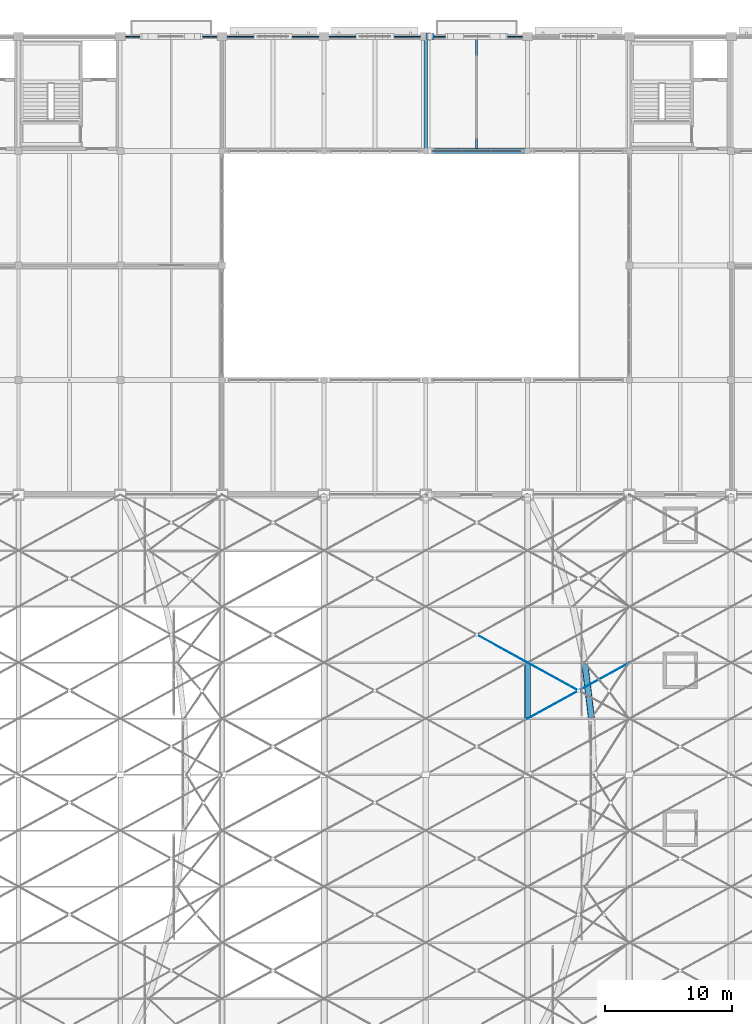
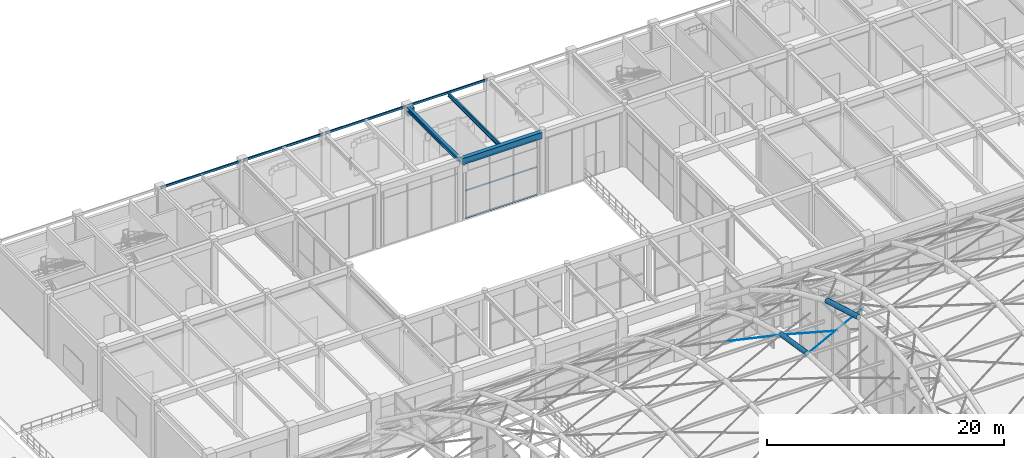
# One storey, part 75 of 163: 10 beams, 6 members, 1 element without a shape of its own.
"""IFC4 building model written with IfcOpenShell, lengths in metres."""

from ifc_helpers import new_model, si_unit, direction, frame, origin, origin_2d, place, context, subcontext, project, spatial, rectangle, hollow_rectangle, circle, hollow_circle, i_section, extrude, material, material_profile, profile_set, type_object, element, aggregate, save


model = new_model("IFC4")

# Units and contexts
model_context = context("Model", 3, precision=1e-05, world=origin(), true_north=direction((0.0, 1.0)))
body_context = subcontext(model_context, "Body", "Model", "MODEL_VIEW")
ifc_project = project(units=[si_unit("LENGTHUNIT", "METRE"), si_unit("AREAUNIT", "SQUARE_METRE"), si_unit("VOLUMEUNIT", "CUBIC_METRE"), si_unit("PLANEANGLEUNIT", "RADIAN"), si_unit("MASSUNIT", "GRAM", prefix="KILO")], contexts=[model_context])

# Site, building, storey
site_placement = place(None, origin())
site = spatial("IfcSite", under=ifc_project, at=site_placement, CompositionType="ELEMENT")
building_placement = place(site_placement, origin())
building = spatial("IfcBuilding", under=site, at=building_placement, Name="Varnabhumi Central Station", CompositionType="ELEMENT")
storey_placement = place(building_placement, frame((0.0, 0.0, 9.60009765625)))
storey = spatial("IfcBuildingStorey", under=building, at=storey_placement, Name="L02", CompositionType="ELEMENT", Elevation=9.60009765625)

# Beams
ifc_material_1 = material(Name="Structural steel E450", Category="steel")
ifc_material_profile_1 = material_profile(ifc_material_1, hollow_circle(Radius=0.228515625, WallThickness=0.01611328125, at=origin_2d()), Name="Structural steel E450", Category="steel")
ifc_profile_set_1 = profile_set([ifc_material_profile_1], Name="Structural steel E450")
beam_type_1 = type_object("IfcBeamType", Name="BM-ARCH-CHS457", PredefinedType="BEAM", material=ifc_profile_set_1)
beam_1_placement = place(storey_placement, frame((72.0, 62.39990234375, 10.520263671875), z_axis=(0.0, 0.987684638155, -0.156457839535), x_axis=(-1.0, 0.0, 0.0)))
element("IfcBeam", 1, at=beam_1_placement, inside=storey, type_object=beam_type_1, Name="Ticket Hall Vault Arch Rib 5 Seg 7", PredefinedType="BEAM", context=body_context, shape_type="SweptSolid", body=[
    extrude(hollow_circle(Radius=0.228515625, WallThickness=0.01611328125, at=origin_2d()), origin(), (0.0, 0.0, 1.0), 4.455078125),
])
ifc_material_2 = material(Name="Structural steel E350", Category="steel")
ifc_material_profile_2 = material_profile(ifc_material_2, hollow_circle(Radius=0.25390625, WallThickness=0.02001953125, at=origin_2d()), Name="Structural steel E350", Category="steel")
ifc_profile_set_2 = profile_set([ifc_material_profile_2], Name="Structural steel E350")
beam_type_2 = type_object("IfcBeamType", Name="BM-ARCH-CHS508", PredefinedType="BEAM", material=ifc_profile_set_2)
beam_2_placement = place(storey_placement, frame((77.0244140625, 62.39990234375, 12.486572265625), z_axis=(-0.118334185872, 0.976975278042, -0.177528382377), x_axis=(-0.992744345989, -0.120244182838, 0.0)))
element("IfcBeam", 2, at=beam_2_placement, inside=storey, type_object=beam_type_2, Name="Departure Concourse Vault Arch Rib 1 Seg 7", PredefinedType="BEAM", context=body_context, shape_type="SweptSolid", body=[
    extrude(hollow_circle(Radius=0.25390625, WallThickness=0.02001953125, at=origin_2d()), origin(), (0.0, 0.0, 1.0), 4.50390625),
])
ifc_material_profile_3 = material_profile(ifc_material_2, i_section(OverallWidth=0.14990234375, OverallDepth=0.449951171875, WebThickness=0.009521484375, FlangeThickness=0.017333984375, FilletRadius=0.014892578125, at=origin_2d()), Name="Structural steel E350", Category="steel")
ifc_profile_set_3 = profile_set([ifc_material_profile_3], Name="Structural steel E350")
beam_type_3 = type_object("IfcBeamType", Name="BM-JST-ISMB450", PredefinedType="JOIST", material=ifc_profile_set_3)
beam_3_placement = place(storey_placement, frame((68.0, 107.199951171875, 6.125), z_axis=(0.0, 1.0, 0.0), x_axis=(-1.0, 0.0, 0.0)))
element("IfcBeam", 3, at=beam_3_placement, inside=storey, type_object=beam_type_3, Name="Secondary Joist L02-9/10:N-P", PredefinedType="JOIST", context=body_context, shape_type="SweptSolid", body=[
    extrude(i_section(OverallWidth=0.14990234375, OverallDepth=0.449951171875, WebThickness=0.009521484375, FlangeThickness=0.017333984375, FilletRadius=0.014892578125, at=origin_2d()), origin(), (0.0, 0.0, 1.0), 8.739990234375),
])
ifc_material_3 = material(Name="Concrete M40", Category="concrete")
ifc_material_profile_4 = material_profile(ifc_material_3, rectangle(XDim=0.39990234375, YDim=0.64990234375, at=origin_2d()), Name="Concrete M40", Category="concrete")
ifc_profile_set_4 = profile_set([ifc_material_profile_4], Name="Concrete M40")
beam_type_4 = type_object("IfcBeamType", Name="BM-RC-400x650", PredefinedType="BEAM", material=ifc_profile_set_4)
beam_4_placement = place(storey_placement, frame((64.10009765625, 107.0, 6.02490234375), z_axis=(1.0, 0.0, 0.0), x_axis=(0.0, 1.0, 0.0)))
element("IfcBeam", 4, at=beam_4_placement, inside=storey, type_object=beam_type_4, Name="Beam L02-N:9-10", PredefinedType="BEAM", context=body_context, shape_type="SweptSolid", body=[
    extrude(rectangle(XDim=0.39990234375, YDim=0.64990234375, at=origin_2d()), origin(), (0.0, 0.0, 1.0), 7.7998046875),
])
ifc_material_profile_5 = material_profile(ifc_material_3, rectangle(XDim=0.449951171875, YDim=0.75, at=origin_2d()), Name="Concrete M40", Category="concrete")
ifc_profile_set_5 = profile_set([ifc_material_profile_5], Name="Concrete M40")
beam_type_5 = type_object("IfcBeamType", Name="BM-RC-450x750", PredefinedType="BEAM", material=ifc_profile_set_5)
beam_5_placement = place(storey_placement, frame((64.0, 116.0, 5.65478515625), z_axis=(1.0, 0.0, 0.0), x_axis=(0.0, 1.0, 0.0)))
element("IfcBeam", 5, at=beam_5_placement, inside=storey, type_object=beam_type_5, Name="Movement Joint 650mm Corbel Seat L02-P-9", PredefinedType="BEAM", context=body_context, shape_type="SweptSolid", body=[
    extrude(rectangle(XDim=0.449951171875, YDim=0.75, at=origin_2d()), origin(), (0.0, 0.0, 1.0), 0.64990234375),
])
ifc_material_profile_6 = material_profile(ifc_material_2, hollow_rectangle(XDim=0.1201171875, YDim=0.239990234375, WallThickness=0.008056640625, InnerFilletRadius=0.008056640625, OuterFilletRadius=0.01611328125, at=origin_2d()), Name="Structural steel E350", Category="steel")
ifc_profile_set_6 = profile_set([ifc_material_profile_6], Name="Structural steel E350")
beam_type_6 = type_object("IfcBeamType", Name="BM-STL-RHS240", PredefinedType="SPANDREL", material=ifc_profile_set_6)
for number, where, z_axis, x_axis, name in (
    (6, (40.10009765625, 116.0, 6.22998046875), (1.0, 0.0, 0.0), (0.0, 1.0, 0.0), "Beam L02-P:6-7"),
    (7, (48.10009765625, 116.0, 6.22998046875), (1.0, 0.0, 0.0), (0.0, 1.0, 0.0), "Beam L02-P:7-8"),
    (8, (56.10009765625, 116.0, 6.22998046875), (1.0, 0.0, 0.0), (0.0, 1.0, 0.0), "Beam L02-P:8-9"),
    (9, (64.10009765625, 116.0, 6.22998046875), (1.0, 0.0, 0.0), (0.0, 1.0, 0.0), "Beam L02-P:9-10"),
):
    element("IfcBeam", number, at=place(storey_placement, frame(where, z_axis=z_axis, x_axis=x_axis)), inside=storey, type_object=beam_type_6, Name=name, PredefinedType="SPANDREL", context=body_context, shape_type="SweptSolid", body=[
        extrude(hollow_rectangle(XDim=0.1201171875, YDim=0.239990234375, WallThickness=0.008056640625, InnerFilletRadius=0.008056640625, OuterFilletRadius=0.01611328125, at=origin_2d()), origin(), (0.0, 0.0, 1.0), 7.7998046875),
    ])
ifc_material_profile_7 = material_profile(ifc_material_2, i_section(OverallWidth=0.300048828125, OverallDepth=0.449951171875, WebThickness=0.013916015625, FlangeThickness=0.02587890625, FilletRadius=0.027099609375, at=origin_2d()), Name="Structural steel E350", Category="steel")
ifc_profile_set_7 = profile_set([ifc_material_profile_7], Name="Structural steel E350")
beam_type_7 = type_object("IfcBeamType", Name="BM-STL-WPB450", PredefinedType="BEAM", material=ifc_profile_set_7)
beam_6_placement = place(storey_placement, frame((64.0, 107.10009765625, 6.125), z_axis=(0.0, 1.0, 0.0), x_axis=(-1.0, 0.0, 0.0)))
element("IfcBeam", 10, at=beam_6_placement, inside=storey, type_object=beam_type_7, Name="Beam L02-9:N-P", PredefinedType="BEAM", context=body_context, shape_type="SweptSolid", body=[
    extrude(i_section(OverallWidth=0.300048828125, OverallDepth=0.449951171875, WebThickness=0.013916015625, FlangeThickness=0.02587890625, FilletRadius=0.027099609375, at=origin_2d()), origin(), (0.0, 0.0, 1.0), 8.7998046875),
])

# Curtain wall, members
ifc_material_4 = material(Name="Anodised aluminium 6063-T6", Category="aluminium")
curtain_wall_type = type_object("IfcCurtainWallType", Name="CW-PATIO-LOGGIA-L2", PredefinedType="NOTDEFINED", material=ifc_material_4)
curtain_wall_placement = place(storey_placement, origin())
curtain_wall = element("IfcCurtainWall", 11, at=curtain_wall_placement, inside=storey, type_object=curtain_wall_type, Name="Curtain Wall CW-NP2N3", PredefinedType="NOTDEFINED")
ifc_material_profile_8 = material_profile(ifc_material_4, hollow_rectangle(XDim=0.06005859375, YDim=0.14990234375, WallThickness=0.00390625, InnerFilletRadius=0.001953125, OuterFilletRadius=0.006103515625, at=origin_2d()), Name="Anodised aluminium 6063-T6", Category="aluminium")
ifc_profile_set_8 = profile_set([ifc_material_profile_8], Name="Anodised aluminium 6063-T6")
member_type_1 = type_object("IfcMemberType", Name="CW-TR-150", PredefinedType="USERDEFINED", material=ifc_profile_set_8)
member_1_placement = place(storey_placement, frame((64.52001953125, 107.0, 0.0), z_axis=(1.0, 0.0, 0.0), x_axis=(0.0, 1.0, 0.0)))
member_1 = element("IfcMember", 12, at=member_1_placement, type_object=member_type_1, Name="Curtain Wall Transom CW-NP2N3-T1", ObjectType="TRANSOM", PredefinedType="USERDEFINED", context=body_context, shape_type="SweptSolid", body=[
    extrude(hollow_rectangle(XDim=0.06005859375, YDim=0.14990234375, WallThickness=0.00390625, InnerFilletRadius=0.001953125, OuterFilletRadius=0.006103515625, at=origin_2d()), origin(), (0.0, 0.0, 1.0), 6.9599609375),
])
member_2_placement = place(storey_placement, frame((64.52001953125, 107.0, 2.81982421875), z_axis=(1.0, 0.0, 0.0), x_axis=(0.0, 1.0, 0.0)))
member_2 = element("IfcMember", 13, at=member_2_placement, type_object=member_type_1, Name="Curtain Wall Transom CW-NP2N3-T2", ObjectType="TRANSOM", PredefinedType="USERDEFINED", context=body_context, shape_type="SweptSolid", body=[
    extrude(hollow_rectangle(XDim=0.06005859375, YDim=0.14990234375, WallThickness=0.00390625, InnerFilletRadius=0.001953125, OuterFilletRadius=0.006103515625, at=origin_2d()), origin(), (0.0, 0.0, 1.0), 6.9599609375),
])
member_3_placement = place(storey_placement, frame((64.52001953125, 107.0, 5.639892578125), z_axis=(1.0, 0.0, 0.0), x_axis=(0.0, 1.0, 0.0)))
member_3 = element("IfcMember", 14, at=member_3_placement, type_object=member_type_1, Name="Curtain Wall Transom CW-NP2N3-T3", ObjectType="TRANSOM", PredefinedType="USERDEFINED", context=body_context, shape_type="SweptSolid", body=[
    extrude(hollow_rectangle(XDim=0.06005859375, YDim=0.14990234375, WallThickness=0.00390625, InnerFilletRadius=0.001953125, OuterFilletRadius=0.006103515625, at=origin_2d()), origin(), (0.0, 0.0, 1.0), 6.9599609375),
])
aggregate(curtain_wall, [member_1, member_2, member_3])

# Members
ifc_material_5 = material(Name="Spiral-strand steel S1570", Category="steel")
ifc_material_profile_9 = material_profile(ifc_material_5, circle(Radius=0.02099609375, at=origin_2d()), Name="Spiral-strand steel S1570", Category="steel")
ifc_profile_set_9 = profile_set([ifc_material_profile_9], Name="Spiral-strand steel S1570")
member_type_2 = type_object("IfcMemberType", Name="MBR-CABLE-D42", PredefinedType="USERDEFINED", material=ifc_profile_set_9)
member_4_placement = place(storey_placement, frame((68.0, 69.0, 9.1455078125), z_axis=(0.868800425867, -0.477829628753, 0.1298640285), x_axis=(0.481910537812, 0.876220425204, 0.0)))
element("IfcMember", 15, at=member_4_placement, inside=storey, type_object=member_type_2, Name="Ticket Hall Vault Cable-Net Split Tie B4-P8B2", ObjectType="TENSION CABLE", PredefinedType="USERDEFINED", context=body_context, shape_type="SweptSolid", body=[
    extrude(circle(Radius=0.02099609375, at=origin_2d()), origin(), (0.0, 0.0, 1.0), 4.60400390625),
])
member_5_placement = place(storey_placement, frame((72.0, 62.39990234375, 10.440185546875), z_axis=(0.873668690933, 0.480533777365, -0.076094068723), x_axis=(-0.481931067474, 0.876209133828, 0.0)))
element("IfcMember", 16, at=member_5_placement, inside=storey, type_object=member_type_2, Name="Ticket Hall Vault Cable-Net Tie B5-P7A", ObjectType="TENSION CABLE", PredefinedType="USERDEFINED", context=body_context, shape_type="SweptSolid", body=[
    extrude(circle(Radius=0.02099609375, at=origin_2d()), origin(), (0.0, 0.0, 1.0), 9.15673828125),
])
member_6_placement = place(storey_placement, frame((72.0, 66.800048828125, 9.743408203125), z_axis=(0.87367988438, -0.480513271371, 0.076095043641), x_axis=(0.481910537812, 0.876220425204, 0.0)))
element("IfcMember", 17, at=member_6_placement, inside=storey, type_object=member_type_2, Name="Ticket Hall Vault Cable-Net Split Tie B5-P7B1", ObjectType="TENSION CABLE", PredefinedType="USERDEFINED", context=body_context, shape_type="SweptSolid", body=[
    extrude(circle(Radius=0.02099609375, at=origin_2d()), origin(), (0.0, 0.0, 1.0), 4.578369140625),
])

save(model, "model.ifc")
